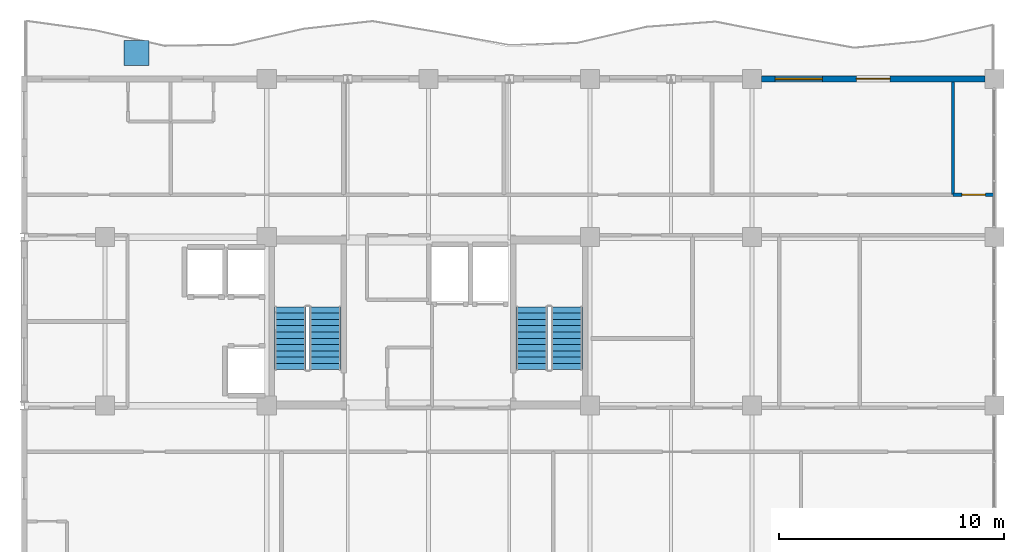
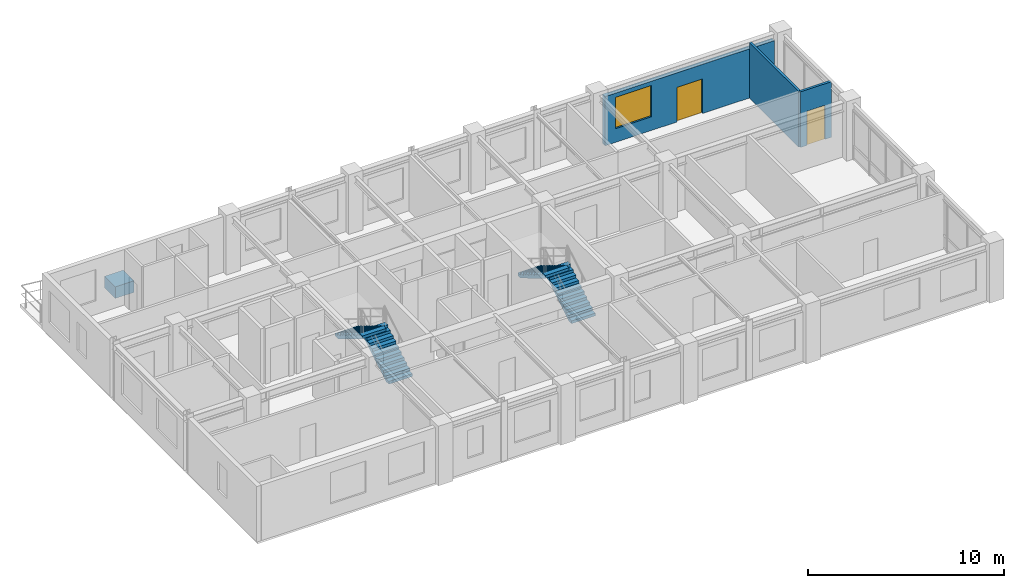
# One storey, part 9 of 11: 4 stair flights, 3 walls, 2 doors, 1 discrete accessory, 1 window, 3 openings, 2 elements without a shape of their own.
"""IFC4 building model written with IfcOpenShell, lengths in metres."""

from ifc_helpers import new_model, si_unit, direction, frame, frame_2d, origin, origin_2d, place, context, subcontext, project, spatial, polyline, rectangle, outline, extrude, source, transform, mapped, material, layer, layer_set, type_object, element, fill, aggregate, save


model = new_model("IFC4")

# Units and contexts
model_context = context("Model", 3, precision=1e-05, world=origin(), true_north=direction((0.0, 1.0)))
body_context = subcontext(model_context, "Body", "Model", "MODEL_VIEW")
ifc_project = project(units=[si_unit("LENGTHUNIT", "METRE"), si_unit("AREAUNIT", "SQUARE_METRE"), si_unit("VOLUMEUNIT", "CUBIC_METRE"), si_unit("PLANEANGLEUNIT", "RADIAN"), si_unit("MASSUNIT", "GRAM", prefix="KILO")], contexts=[model_context])

# Site, building, storey
site_placement = place(None, origin())
site = spatial("IfcSite", under=ifc_project, at=site_placement, CompositionType="ELEMENT")
building_placement = place(site_placement, origin())
building = spatial("IfcBuilding", under=site, at=building_placement, Name="Kaliganga Portal Commons", CompositionType="ELEMENT")
storey_placement = place(building_placement, frame((0.0, 0.0, 268.39990234375)))
storey = spatial("IfcBuildingStorey", under=building, at=storey_placement, Name="L69", CompositionType="ELEMENT", Elevation=268.39990234375)

# Wall, openings, door, window
ifc_material_1 = material(Name="Insulated Aluminium-Clad Spandrel Assembly", Category="aluminium")
ifc_layer_1 = layer(ifc_material_1, 0.260009765625)
ifc_layer_set_1 = layer_set([ifc_layer_1], Name="Insulated Aluminium-Clad Spandrel Assembly")
wall_type_1 = type_object("IfcWallType", Name="WL-EXT-SPAND-260", PredefinedType="STANDARD", material=ifc_layer_set_1)
wall_1_placement = place(storey_placement, frame((36.426025390625, 43.199951171875, 0.0), z_axis=(0.0, 0.0, 1.0), x_axis=(1.0, 0.0, 0.0)))
wall_1 = element("IfcWall", 1, at=wall_1_placement, inside=storey, type_object=wall_type_1, Name="Exterior Envelope Wall L69 P1-E02-S1", PredefinedType="STANDARD", context=body_context, shape_type="SweptSolid", body=[
    extrude(rectangle(XDim=9.947998046875, YDim=0.260009765625, at=frame_2d((4.97412109375, 0.0))), origin(), (0.0, 0.0, 1.0), 3.05517578125),
])
opening_1_placement = place(wall_1_placement, frame((4.22412109375, 0.0, 0.0)))
opening_1 = element("IfcOpeningElement", 2, at=opening_1_placement, cuts=wall_1, Name="Opening BD-01", PredefinedType="OPENING", context=body_context, shape_type="SweptSolid", body=[
    extrude(rectangle(XDim=1.5, YDim=2.14990234375, at=frame_2d((0.75, 1.074951171875))), frame((0.0, 0.14013671875, 0.0), z_axis=(0.0, -1.0, 0.0), x_axis=(1.0, 0.0, 0.0)), (0.0, 0.0, 1.0), 0.280029296875),
])
opening_2_placement = place(wall_1_placement, frame((0.60791015625, 0.0, 0.85009765625)))
opening_2 = element("IfcOpeningElement", 3, at=opening_2_placement, cuts=wall_1, Name="Opening W-06", PredefinedType="OPENING", context=body_context, shape_type="SweptSolid", body=[
    extrude(rectangle(XDim=2.10009765625, YDim=1.949951171875, at=frame_2d((1.050048828125, 0.97509765625))), frame((0.0, 0.14013671875, 0.0), z_axis=(0.0, -1.0, 0.0), x_axis=(1.0, 0.0, 0.0)), (0.0, 0.0, 1.0), 0.280029296875),
])
ifc_material_2 = material(Name="Anodized Aluminium and Laminated Safety Glass", Category="aluminium")
door_type_1 = type_object("IfcDoorType", Name="DR-BALC-1500", OperationType="SLIDING_TO_LEFT", PredefinedType="DOOR", material=ifc_material_2)
door_1_placement = place(opening_1_placement, origin())
door_1 = element("IfcDoor", 4, at=door_1_placement, inside=storey, type_object=door_type_1, Name="Balcony Sliding Door L69 balc_north", OperationType="SLIDING_TO_LEFT", OverallHeight=2.14990234375, OverallWidth=1.5, PredefinedType="DOOR", context=body_context, shape_type="SweptSolid", body=[
    extrude(rectangle(XDim=1.5, YDim=2.14990234375, at=frame_2d((0.75, 1.074951171875))), frame((0.0, 0.02490234375, 0.0), z_axis=(0.0, -1.0, 0.0), x_axis=(1.0, 0.0, 0.0)), (0.0, 0.0, 1.0), 0.050048828125),
])
fill(opening_1, door_1)
ifc_material_3 = material(Name="Thermally Broken Aluminium and Low-E Double Glazing", Category="aluminium")
window_type = type_object("IfcWindowType", Name="WIN-PAN-2100", PartitioningType="DOUBLE_PANEL_VERTICAL", PredefinedType="WINDOW", material=ifc_material_3)
window_placement = place(opening_2_placement, origin())
window = element("IfcWindow", 5, at=window_placement, inside=storey, type_object=window_type, Name="Facade Window L69-P1E02S1-00", OverallHeight=1.949951171875, OverallWidth=2.10009765625, PartitioningType="SINGLE_PANEL", PredefinedType="WINDOW", context=body_context, shape_type="SweptSolid", body=[
    extrude(rectangle(XDim=2.10009765625, YDim=1.949951171875, at=frame_2d((1.050048828125, 0.97509765625))), frame((0.0, 0.030029296875, 0.0), z_axis=(0.0, -1.0, 0.0), x_axis=(1.0, 0.0, 0.0)), (0.0, 0.0, 1.0), 0.06005859375),
])
fill(opening_2, window)

# Wall, opening, door
ifc_material_4 = material(Name="Fire-Rated Gypsum Board on Steel Stud", Category="steel")
ifc_layer_2 = layer(ifc_material_4, 0.14990234375)
ifc_layer_set_2 = layer_set([ifc_layer_2], Name="Fire-Rated Gypsum Board on Steel Stud")
wall_type_2 = type_object("IfcWallType", Name="WL-PART-CORR-150", PredefinedType="PARTITIONING", material=ifc_layer_set_2)
wall_2_placement = place(storey_placement, frame((44.9599609375, 38.0400390625, 0.0), z_axis=(0.0, 0.0, 1.0), x_axis=(1.0, 0.0, 0.0)))
wall_2 = element("IfcWall", 6, at=wall_2_placement, inside=storey, type_object=wall_type_2, Name="Interior Partition L69-040", PredefinedType="PARTITIONING", context=body_context, shape_type="SweptSolid", body=[
    extrude(rectangle(XDim=1.820068359375, YDim=0.14990234375, at=frame_2d((0.91015625, 0.0))), origin(), (0.0, 0.0, 1.0), 3.455078125),
])
opening_3_placement = place(wall_2_placement, frame((0.385009765625, 0.0, 0.0)))
opening_3 = element("IfcOpeningElement", 7, at=opening_3_placement, cuts=wall_2, Name="Opening UD-02", PredefinedType="OPENING", context=body_context, shape_type="SweptSolid", body=[
    extrude(rectangle(XDim=1.050048828125, YDim=2.1201171875, at=frame_2d((0.52490234375, 1.06005859375))), frame((0.0, 0.0849609375, 0.0), z_axis=(0.0, -1.0, 0.0), x_axis=(1.0, 0.0, 0.0)), (0.0, 0.0, 1.0), 0.169921875),
])
ifc_material_5 = material(Name="Accessible Wide-Leaf Acoustic Fire Door", Category="wood")
door_type_2 = type_object("IfcDoorType", Name="DR-ACC-1050", OperationType="NOTDEFINED", PredefinedType="DOOR", material=ifc_material_5)
door_2_placement = place(opening_3_placement, origin())
door_2 = element("IfcDoor", 8, at=door_2_placement, inside=storey, type_object=door_type_2, Name="Interior Door L69-AN06", OperationType="SINGLE_SWING_LEFT", OverallHeight=2.1201171875, OverallWidth=1.050048828125, PredefinedType="DOOR", context=body_context, shape_type="SweptSolid", body=[
    extrude(rectangle(XDim=1.050048828125, YDim=2.1201171875, at=frame_2d((0.52490234375, 1.06005859375))), frame((0.0, 0.02490234375, 0.0), z_axis=(0.0, -1.0, 0.0), x_axis=(1.0, 0.0, 0.0)), (0.0, 0.0, 1.0), 0.050048828125),
])
fill(opening_3, door_2)

# Wall
ifc_material_6 = material(Name="Cement-Board Wet-Room Partition", Category="gypsum")
ifc_layer_3 = layer(ifc_material_6, 0.135009765625)
ifc_layer_set_3 = layer_set([ifc_layer_3], Name="Cement-Board Wet-Room Partition")
wall_type_3 = type_object("IfcWallType", Name="WL-PART-WET-135", PredefinedType="PARTITIONING", material=ifc_layer_set_3)
wall_3_placement = place(storey_placement, frame((44.9599609375, 38.0400390625, 0.0), z_axis=(0.0, 0.0, 1.0), x_axis=(0.0, 1.0, 0.0)))
element("IfcWall", 9, at=wall_3_placement, inside=storey, type_object=wall_type_3, Name="Interior Partition L69-047", PredefinedType="PARTITIONING", context=body_context, shape_type="SweptSolid", body=[
    extrude(rectangle(XDim=5.028076171875, YDim=0.135009765625, at=frame_2d((2.51416015625, 0.0))), origin(), (0.0, 0.0, 1.0), 3.455078125),
])

# Stair, stair flights
ifc_material_7 = material(Name="Concrete C40/50", Category="concrete")
stair_type = type_object("IfcStairType", Name="ST-CORE-DOGLEG", PredefinedType="HALF_TURN_STAIR", material=ifc_material_7)
stair_1_placement = place(storey_placement, origin())
stair_1 = element("IfcStair", 10, at=stair_1_placement, inside=storey, type_object=stair_type, Name="L69 Protected Exit Stair ST-A1", PredefinedType="HALF_TURN_STAIR")
stair_flight_type = type_object("IfcStairFlightType", Name="STF-RC-1400", PredefinedType="STRAIGHT", material=ifc_material_7)
stair_flight_1_placement = place(storey_placement, frame((17.0, 30.25, 0.0), z_axis=(0.0, 0.0, 1.0), x_axis=(0.0, 1.0, 0.0)))
stair_flight_1 = element("IfcStairFlight", 11, at=stair_flight_1_placement, type_object=stair_flight_type, Name="ST-A1 flight 1", NumberOfRisers=11, NumberOfTreads=10, PredefinedType="STRAIGHT", RiserHeight=0.168181818, TreadLength=0.28, context=body_context, shape_type="SweptSolid", body=[
    extrude(outline(polyline([(0.0, 0.0), (0.0, 0.168212890625), (0.280029296875, 0.168212890625), (0.280029296875, 0.33642578125), (0.56005859375, 0.33642578125), (0.56005859375, 0.504638671875), (0.840087890625, 0.504638671875), (0.840087890625, 0.672607421875), (1.1201171875, 0.672607421875), (1.1201171875, 0.8408203125), (1.39990234375, 0.8408203125), (1.39990234375, 1.009033203125), (1.679931640625, 1.009033203125), (1.679931640625, 1.17724609375), (1.9599609375, 1.17724609375), (1.9599609375, 1.345458984375), (2.239990234375, 1.345458984375), (2.239990234375, 1.513671875), (2.52001953125, 1.513671875), (2.52001953125, 1.681884765625), (2.800048828125, 1.681884765625), (2.800048828125, 1.85009765625), (2.800048828125, 1.5068359375), (0.291015625, 0.0), (0.0, 0.0)])), frame((0.0, 0.699951171875, 0.0), z_axis=(0.0, -1.0, 0.0), x_axis=(1.0, 0.0, 0.0)), (0.0, 0.0, 1.0), 1.39990234375),
])
stair_flight_2_placement = place(storey_placement, frame((15.449951171875, 33.050048828125, 1.85009765625), z_axis=(0.0, 0.0, 1.0), x_axis=(0.0, -1.0, 0.0)))
stair_flight_2 = element("IfcStairFlight", 12, at=stair_flight_2_placement, type_object=stair_flight_type, Name="ST-A1 flight 2", NumberOfRisers=11, NumberOfTreads=10, PredefinedType="STRAIGHT", RiserHeight=0.168181818, TreadLength=0.28, context=body_context, shape_type="SweptSolid", body=[
    extrude(outline(polyline([(0.0, 0.0), (0.0, 0.168212890625), (0.280029296875, 0.168212890625), (0.280029296875, 0.33642578125), (0.56005859375, 0.33642578125), (0.56005859375, 0.504638671875), (0.840087890625, 0.504638671875), (0.840087890625, 0.672607421875), (1.1201171875, 0.672607421875), (1.1201171875, 0.8408203125), (1.39990234375, 0.8408203125), (1.39990234375, 1.009033203125), (1.679931640625, 1.009033203125), (1.679931640625, 1.17724609375), (1.9599609375, 1.17724609375), (1.9599609375, 1.345458984375), (2.239990234375, 1.345458984375), (2.239990234375, 1.513671875), (2.52001953125, 1.513671875), (2.52001953125, 1.681884765625), (2.800048828125, 1.681884765625), (2.800048828125, 1.85009765625), (2.800048828125, 1.5068359375), (0.291015625, 0.0), (0.0, 0.0)])), frame((0.0, 0.699951171875, 0.0), z_axis=(0.0, -1.0, 0.0), x_axis=(1.0, 0.0, 0.0)), (0.0, 0.0, 1.0), 1.39990234375),
])
aggregate(stair_1, [stair_flight_1, stair_flight_2])

stair_2_placement = place(storey_placement, origin())
stair_2 = element("IfcStair", 13, at=stair_2_placement, inside=storey, type_object=stair_type, Name="L69 Protected Exit Stair ST-A2", PredefinedType="HALF_TURN_STAIR")
stair_flight_3_placement = place(storey_placement, frame((27.75, 30.25, 0.0), z_axis=(0.0, 0.0, 1.0), x_axis=(0.0, 1.0, 0.0)))
stair_flight_3 = element("IfcStairFlight", 14, at=stair_flight_3_placement, type_object=stair_flight_type, Name="ST-A2 flight 1", NumberOfRisers=11, NumberOfTreads=10, PredefinedType="STRAIGHT", RiserHeight=0.168181818, TreadLength=0.28, context=body_context, shape_type="SweptSolid", body=[
    extrude(outline(polyline([(0.0, 0.0), (0.0, 0.168212890625), (0.280029296875, 0.168212890625), (0.280029296875, 0.33642578125), (0.56005859375, 0.33642578125), (0.56005859375, 0.504638671875), (0.840087890625, 0.504638671875), (0.840087890625, 0.672607421875), (1.1201171875, 0.672607421875), (1.1201171875, 0.8408203125), (1.39990234375, 0.8408203125), (1.39990234375, 1.009033203125), (1.679931640625, 1.009033203125), (1.679931640625, 1.17724609375), (1.9599609375, 1.17724609375), (1.9599609375, 1.345458984375), (2.239990234375, 1.345458984375), (2.239990234375, 1.513671875), (2.52001953125, 1.513671875), (2.52001953125, 1.681884765625), (2.800048828125, 1.681884765625), (2.800048828125, 1.85009765625), (2.800048828125, 1.5068359375), (0.291015625, 0.0), (0.0, 0.0)])), frame((0.0, 0.699951171875, 0.0), z_axis=(0.0, -1.0, 0.0), x_axis=(1.0, 0.0, 0.0)), (0.0, 0.0, 1.0), 1.39990234375),
])
stair_flight_4_placement = place(storey_placement, frame((26.199951171875, 33.050048828125, 1.85009765625), z_axis=(0.0, 0.0, 1.0), x_axis=(0.0, -1.0, 0.0)))
stair_flight_4 = element("IfcStairFlight", 15, at=stair_flight_4_placement, type_object=stair_flight_type, Name="ST-A2 flight 2", NumberOfRisers=11, NumberOfTreads=10, PredefinedType="STRAIGHT", RiserHeight=0.168181818, TreadLength=0.28, context=body_context, shape_type="SweptSolid", body=[
    extrude(outline(polyline([(0.0, 0.0), (0.0, 0.168212890625), (0.280029296875, 0.168212890625), (0.280029296875, 0.33642578125), (0.56005859375, 0.33642578125), (0.56005859375, 0.504638671875), (0.840087890625, 0.504638671875), (0.840087890625, 0.672607421875), (1.1201171875, 0.672607421875), (1.1201171875, 0.8408203125), (1.39990234375, 0.8408203125), (1.39990234375, 1.009033203125), (1.679931640625, 1.009033203125), (1.679931640625, 1.17724609375), (1.9599609375, 1.17724609375), (1.9599609375, 1.345458984375), (2.239990234375, 1.345458984375), (2.239990234375, 1.513671875), (2.52001953125, 1.513671875), (2.52001953125, 1.681884765625), (2.800048828125, 1.681884765625), (2.800048828125, 1.85009765625), (2.800048828125, 1.5068359375), (0.291015625, 0.0), (0.0, 0.0)])), frame((0.0, 0.699951171875, 0.0), z_axis=(0.0, -1.0, 0.0), x_axis=(1.0, 0.0, 0.0)), (0.0, 0.0, 1.0), 1.39990234375),
])
aggregate(stair_2, [stair_flight_3, stair_flight_4])

# Discrete accessory
ifc_material_8 = material(Name="Precast concrete C40/50", Category="concrete")
discrete_accessory_type = type_object("IfcDiscreteAccessoryType", Name="DAC-PLANTER-RC", PredefinedType="USERDEFINED", material=ifc_material_8)
shared_shape = source(origin(), body_context, "Body", "SweptSolid", [
    extrude(rectangle(XDim=1.10009765625, YDim=1.10009765625, at=origin_2d()), origin(), (0.0, 0.0, 1.0), 0.719970703125),
])
discrete_accessory_placement = place(storey_placement, frame((8.60009765625, 44.35009765625, 0.0), z_axis=(0.0, 0.0, 1.0), x_axis=(1.0, 0.0, 0.0)))
element("IfcDiscreteAccessory", 16, at=discrete_accessory_placement, inside=storey, type_object=discrete_accessory_type, Name="Structural Tree Planter L69 balc_north", ObjectType="PLANTER", PredefinedType="USERDEFINED", context=body_context, shape_type="MappedRepresentation", body=[
    mapped(shared_shape, transform((0.0, 0.0, 0.0), x_axis=(1.0, 0.0, 0.0), y_axis=(0.0, 1.0, 0.0), z_axis=(0.0, 0.0, 1.0), scale=1.0)),
])

save(model, "model.ifc")
